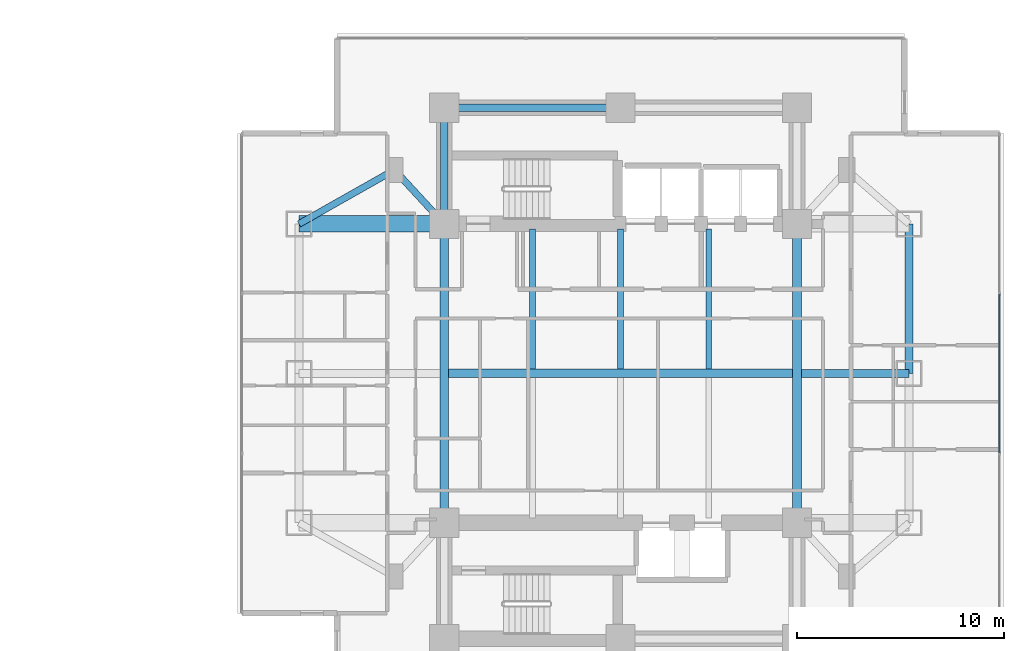
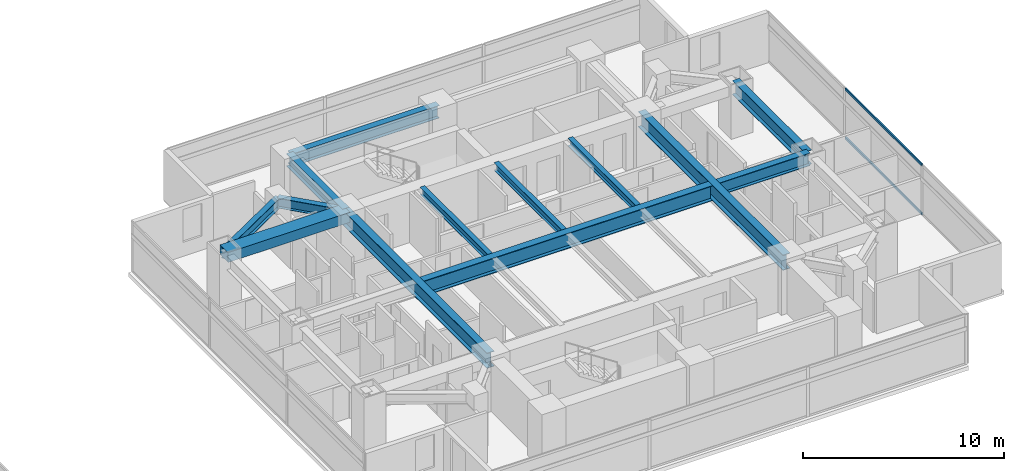
# One storey, part 9 of 23: 13 beams, 2 members, 1 element without a shape of its own.
"""IFC4 building model written with IfcOpenShell, lengths in metres."""

from ifc_helpers import new_model, si_unit, direction, frame, origin, origin_2d, place, context, subcontext, project, spatial, rectangle, i_section, extrude, material, material_profile, profile_set, type_object, element, aggregate, save


model = new_model("IFC4")

# Units and contexts
model_context = context("Model", 3, precision=1e-05, world=origin(), true_north=direction((0.0, 1.0)))
body_context = subcontext(model_context, "Body", "Model", "MODEL_VIEW")
ifc_project = project(units=[si_unit("LENGTHUNIT", "METRE"), si_unit("AREAUNIT", "SQUARE_METRE"), si_unit("VOLUMEUNIT", "CUBIC_METRE"), si_unit("PLANEANGLEUNIT", "RADIAN"), si_unit("MASSUNIT", "GRAM", prefix="KILO")], contexts=[model_context])

# Site, building, storey
site_placement = place(None, origin())
site = spatial("IfcSite", under=ifc_project, at=site_placement, CompositionType="ELEMENT")
building_placement = place(site_placement, origin())
building = spatial("IfcBuilding", under=site, at=building_placement, Name="Mirazonda Arch Towers", CompositionType="ELEMENT")
storey_placement = place(building_placement, frame((0.0, 0.0, 29.0)))
storey = spatial("IfcBuildingStorey", under=building, at=storey_placement, Name="L07", CompositionType="ELEMENT", Elevation=29.0)

# Beams
ifc_material_1 = material(Name="Steel ASTM A992 Grade 50", Category="steel")
ifc_material_profile_1 = material_profile(ifc_material_1, i_section(OverallWidth=0.39990234375, OverallDepth=0.85595703125, WebThickness=0.018310546875, FlangeThickness=0.029296875, at=origin_2d()), Name="W33X201")
ifc_profile_set_1 = profile_set([ifc_material_profile_1], Name="Steel ASTM A992 Grade 50")
beam_type_1 = type_object("IfcBeamType", Name="BM-EXT-W33X201", PredefinedType="USERDEFINED", material=ifc_profile_set_1)
beam_1_placement = place(storey_placement, frame((90.39990234375, 28.0, 2.632080078125), z_axis=(0.0, 1.0, 0.0), x_axis=(-1.0, 0.0, 0.0)))
element("IfcBeam", 1, at=beam_1_placement, inside=storey, type_object=beam_type_1, Name="L07 Floor Beam BM-T2-L07-NS-E-28", ObjectType="GIRDER", PredefinedType="USERDEFINED", context=body_context, shape_type="SweptSolid", body=[
    extrude(i_section(OverallWidth=0.39990234375, OverallDepth=0.85595703125, WebThickness=0.018310546875, FlangeThickness=0.029296875, at=origin_2d()), origin(), (0.0, 0.0, 1.0), 7.199951171875),
])
ifc_material_profile_2 = material_profile(ifc_material_1, i_section(OverallWidth=0.280029296875, OverallDepth=0.462890625, WebThickness=0.0107421875, FlangeThickness=0.017333984375, at=origin_2d()), Name="W18X76")
ifc_profile_set_2 = profile_set([ifc_material_profile_2], Name="Steel ASTM A992 Grade 50")
beam_type_2 = type_object("IfcBeamType", Name="BM-INT-W18X76", PredefinedType="JOIST", material=ifc_profile_set_2)
for number, where, z_axis, x_axis, name in (
    (2, (72.25, 28.205078125, 2.82861328125), (0.0, 1.0, 0.0), (-1.0, 0.0, 0.0), "L07 Floor Beam BM-T2-L07-J-722-28"),
    (3, (76.5, 28.205078125, 2.82861328125), (0.0, 1.0, 0.0), (-1.0, 0.0, 0.0), "L07 Floor Beam BM-T2-L07-J-765-28"),
    (4, (80.75, 28.205078125, 2.82861328125), (0.0, 1.0, 0.0), (-1.0, 0.0, 0.0), "L07 Floor Beam BM-T2-L07-J-807-28"),
):
    element("IfcBeam", number, at=place(storey_placement, frame(where, z_axis=z_axis, x_axis=x_axis)), inside=storey, type_object=beam_type_2, Name=name, PredefinedType="JOIST", context=body_context, shape_type="SweptSolid", body=[
        extrude(i_section(OverallWidth=0.280029296875, OverallDepth=0.462890625, WebThickness=0.0107421875, FlangeThickness=0.017333984375, at=origin_2d()), origin(), (0.0, 0.0, 1.0), 6.7548828125),
    ])
ifc_material_profile_3 = material_profile(ifc_material_1, i_section(OverallWidth=0.324951171875, OverallDepth=0.615966796875, WebThickness=0.013916015625, FlangeThickness=0.021484375, at=origin_2d()), Name="W24X117")
ifc_profile_set_3 = profile_set([ifc_material_profile_3], Name="Steel ASTM A992 Grade 50")
beam_type_3 = type_object("IfcBeamType", Name="BM-INT-W24X117", PredefinedType="BEAM", material=ifc_profile_set_3)
beam_2_placement = place(storey_placement, frame((65.60009765625, 37.800048828125, 2.751953125), z_axis=(0.678251444854, -0.734829897019, 0.0), x_axis=(0.734829897019, 0.678251444854, 0.0)))
element("IfcBeam", 5, at=beam_2_placement, inside=storey, type_object=beam_type_3, Name="L07 Floor Beam BM-T2-L07-PL-NW1", PredefinedType="BEAM", context=body_context, shape_type="SweptSolid", body=[
    extrude(i_section(OverallWidth=0.324951171875, OverallDepth=0.615966796875, WebThickness=0.013916015625, FlangeThickness=0.021484375, at=origin_2d()), origin(), (0.0, 0.0, 1.0), 3.538330078125),
])
beam_3_placement = place(storey_placement, frame((65.60009765625, 37.800048828125, 2.751953125), z_axis=(-0.870559396632, -0.492063346467, 0.0), x_axis=(0.492063346467, -0.870559396632, 0.0)))
element("IfcBeam", 6, at=beam_3_placement, inside=storey, type_object=beam_type_3, Name="L07 Floor Beam BM-T2-L07-PL-NW2", PredefinedType="BEAM", context=body_context, shape_type="SweptSolid", body=[
    extrude(i_section(OverallWidth=0.324951171875, OverallDepth=0.615966796875, WebThickness=0.013916015625, FlangeThickness=0.021484375, at=origin_2d()), origin(), (0.0, 0.0, 1.0), 5.2841796875),
])
ifc_material_profile_4 = material_profile(ifc_material_1, i_section(OverallWidth=0.381103515625, OverallDepth=0.77294921875, WebThickness=0.0166015625, FlangeThickness=0.027099609375, at=origin_2d()), Name="W30X173")
ifc_profile_set_4 = profile_set([ifc_material_profile_4], Name="Steel ASTM A992 Grade 50")
beam_type_4 = type_object("IfcBeamType", Name="BM-INT-W30X173", PredefinedType="USERDEFINED", material=ifc_profile_set_4)
beam_4_placement = place(storey_placement, frame((68.0, 40.800048828125, 2.673583984375), z_axis=(1.0, 0.0, 0.0), x_axis=(0.0, 1.0, 0.0)))
element("IfcBeam", 7, at=beam_4_placement, inside=storey, type_object=beam_type_4, Name="L07 Floor Beam BM-T2-L07-CN1", ObjectType="GIRDER", PredefinedType="USERDEFINED", context=body_context, shape_type="SweptSolid", body=[
    extrude(i_section(OverallWidth=0.381103515625, OverallDepth=0.77294921875, WebThickness=0.0166015625, FlangeThickness=0.027099609375, at=origin_2d()), origin(), (0.0, 0.0, 1.0), 8.5),
])
beam_5_placement = place(storey_placement, frame((68.0, 35.199951171875, 2.673583984375), z_axis=(0.0, 1.0, 0.0), x_axis=(-1.0, 0.0, 0.0)))
element("IfcBeam", 8, at=beam_5_placement, inside=storey, type_object=beam_type_4, Name="L07 Floor Beam BM-T2-L07-CNW", ObjectType="GIRDER", PredefinedType="USERDEFINED", context=body_context, shape_type="SweptSolid", body=[
    extrude(i_section(OverallWidth=0.381103515625, OverallDepth=0.77294921875, WebThickness=0.0166015625, FlangeThickness=0.027099609375, at=origin_2d()), origin(), (0.0, 0.0, 1.0), 5.60009765625),
])
beam_6_placement = place(storey_placement, frame((85.208984375, 28.0, 2.673583984375), z_axis=(1.0, 0.0, 0.0), x_axis=(0.0, 1.0, 0.0)))
element("IfcBeam", 9, at=beam_6_placement, inside=storey, type_object=beam_type_4, Name="L07 Floor Beam BM-T2-L07-GE2", ObjectType="GIRDER", PredefinedType="USERDEFINED", context=body_context, shape_type="SweptSolid", body=[
    extrude(i_section(OverallWidth=0.381103515625, OverallDepth=0.77294921875, WebThickness=0.0166015625, FlangeThickness=0.027099609375, at=origin_2d()), origin(), (0.0, 0.0, 1.0), 5.19091796875),
])
ifc_material_profile_5 = material_profile(ifc_material_1, i_section(OverallWidth=0.41796875, OverallDepth=0.927001953125, WebThickness=0.019287109375, FlangeThickness=0.031982421875, at=origin_2d()), Name="W36X231")
ifc_profile_set_5 = profile_set([ifc_material_profile_5], Name="Steel ASTM A992 Grade 50")
beam_type_5 = type_object("IfcBeamType", Name="BM-INT-W36X231", PredefinedType="USERDEFINED", material=ifc_profile_set_5)
beam_7_placement = place(storey_placement, frame((68.208984375, 28.0, 2.596435546875), z_axis=(1.0, 0.0, 0.0), x_axis=(0.0, 1.0, 0.0)))
element("IfcBeam", 10, at=beam_7_placement, inside=storey, type_object=beam_type_5, Name="L07 Floor Beam BM-T2-L07-GC2", ObjectType="GIRDER", PredefinedType="USERDEFINED", context=body_context, shape_type="SweptSolid", body=[
    extrude(i_section(OverallWidth=0.41796875, OverallDepth=0.927001953125, WebThickness=0.019287109375, FlangeThickness=0.031982421875, at=origin_2d()), origin(), (0.0, 0.0, 1.0), 16.58203125),
])
for number, where, z_axis, x_axis, name in (
    (11, (68.0, 20.800048828125, 2.596435546875), (0.0, 1.0, 0.0), (-1.0, 0.0, 0.0), "L07 Floor Beam BM-T2-L07-NS-CW-FULL"),
    (12, (85.0, 20.800048828125, 2.596435546875), (0.0, 1.0, 0.0), (-1.0, 0.0, 0.0), "L07 Floor Beam BM-T2-L07-NS-CE-FULL"),
):
    element("IfcBeam", number, at=place(storey_placement, frame(where, z_axis=z_axis, x_axis=x_axis)), inside=storey, type_object=beam_type_5, Name=name, ObjectType="GIRDER", PredefinedType="USERDEFINED", context=body_context, shape_type="SweptSolid", body=[
        extrude(i_section(OverallWidth=0.41796875, OverallDepth=0.927001953125, WebThickness=0.019287109375, FlangeThickness=0.031982421875, at=origin_2d()), origin(), (0.0, 0.0, 1.0), 14.39990234375),
    ])
ifc_material_2 = material(Name="Concrete C60/75", Category="concrete")
ifc_material_profile_6 = material_profile(ifc_material_2, rectangle(XDim=0.800048828125, YDim=0.60009765625, at=origin_2d()), Name="RCCB800x600")
ifc_profile_set_6 = profile_set([ifc_material_profile_6], Name="Concrete C60/75")
beam_type_6 = type_object("IfcBeamType", Name="CB-INT-RCCB800x600", PredefinedType="SPANDREL", material=ifc_profile_set_6)
beam_8_placement = place(storey_placement, frame((61.0, 35.199951171875, 2.760009765625), z_axis=(1.0, 0.0, 0.0), x_axis=(0.0, 1.0, 0.0)))
element("IfcBeam", 13, at=beam_8_placement, inside=storey, type_object=beam_type_6, Name="L07 Floor Beam CBC-T2-L07-NW", PredefinedType="SPANDREL", context=body_context, shape_type="SweptSolid", body=[
    extrude(rectangle(XDim=0.800048828125, YDim=0.60009765625, at=origin_2d()), origin(), (0.0, 0.0, 1.0), 7.0),
])

# Curtain wall, members
ifc_material_3 = material(Name="Anodised Aluminium and Low-E Glass", Category="aluminium")
curtain_wall_type = type_object("IfcCurtainWallType", Name="CW-HTL-UNIT", PredefinedType="NOTDEFINED", material=ifc_material_3)
curtain_wall_placement = place(storey_placement, origin())
curtain_wall = element("IfcCurtainWall", 14, at=curtain_wall_placement, inside=storey, type_object=curtain_wall_type, Name="L07 T2 E Facade CW-L07-T2-E", PredefinedType="NOTDEFINED")
ifc_material_4 = material(Name="Anodised Aluminium Alloy", Category="aluminium")
ifc_material_profile_7 = material_profile(ifc_material_4, rectangle(XDim=0.074951171875, YDim=0.14501953125, at=origin_2d()), Name="ALU-TRAN-75x145")
ifc_profile_set_7 = profile_set([ifc_material_profile_7], Name="Anodised Aluminium Alloy")
member_type = type_object("IfcMemberType", Name="TRAN-CW-HTL-UNIT", PredefinedType="USERDEFINED", material=ifc_profile_set_7)
member_1_placement = place(storey_placement, frame((94.756103515625, 24.181884765625, 0.03759765625), z_axis=(0.0, 1.0, 0.0), x_axis=(-1.0, 0.0, 0.0)))
member_1 = element("IfcMember", 15, at=member_1_placement, type_object=member_type, Name="CW-112 transom 2.1", ObjectType="TRANSOM", PredefinedType="USERDEFINED", context=body_context, shape_type="SweptSolid", body=[
    extrude(rectangle(XDim=0.074951171875, YDim=0.14501953125, at=origin_2d()), origin(), (0.0, 0.0, 1.0), 7.63623046875),
])
member_2_placement = place(storey_placement, frame((94.756103515625, 24.181884765625, 3.00244140625), z_axis=(0.0, 1.0, 0.0), x_axis=(-1.0, 0.0, 0.0)))
member_2 = element("IfcMember", 16, at=member_2_placement, type_object=member_type, Name="CW-112 transom 2.2", ObjectType="TRANSOM", PredefinedType="USERDEFINED", context=body_context, shape_type="SweptSolid", body=[
    extrude(rectangle(XDim=0.074951171875, YDim=0.14501953125, at=origin_2d()), origin(), (0.0, 0.0, 1.0), 7.63623046875),
])
aggregate(curtain_wall, [member_1, member_2])

save(model, "model.ifc")
